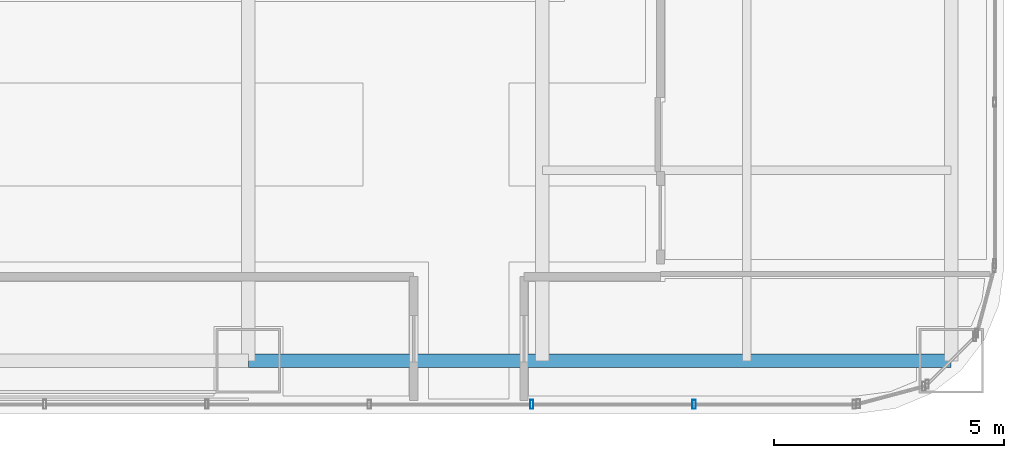
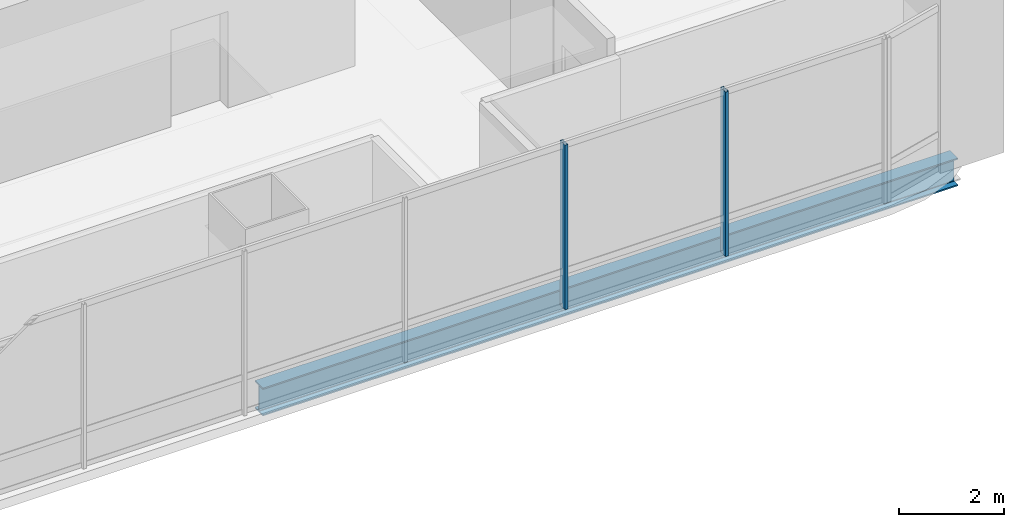
# One storey, part 14 of 38: 2 members, 1 beam, 1 element without a shape of its own.
"""IFC4 building model written with IfcOpenShell, lengths in metres."""

import ifcopenshell
import ifcopenshell.guid

model = None  # the IFC model being written
_history = None  # IfcOwnerHistory: only IFC2X3 demands one
_inside = {}  # id of a spatial element -> (the spatial element, [elements in it])
_under = {}  # id of a project, library or spatial element -> (it, [spatial elements below it])
_declared = {}  # id of a project -> (the project, [libraries it declares])
_typed = {}  # id of a type object -> (the type object, [elements of that type])
_made_of = {}  # id of a material, layer set ... -> (it, [elements and type objects made of it])


def new_model(schema):
    """Start an empty IFC model of exactly this schema.

    Asked for "IFC4X3", IfcOpenShell would pick the latest addendum, in which some entities
    have other attributes; the version numbers below select the first issue.
    IFC2X3 requires an IfcOwnerHistory on every rooted entity: one is made here for all.
    """
    global model, _history
    if schema == "IFC4X3":
        model = ifcopenshell.file(schema_version=(4, 3, 0, 0))
    else:
        model = ifcopenshell.file(schema=schema)
    _inside.clear()
    _under.clear()
    _declared.clear()
    _typed.clear()
    _made_of.clear()
    _history = None
    if model.schema == "IFC2X3":
        org = make("IfcOrganization", Name="unknown")
        user = make(
            "IfcPersonAndOrganization",
            ThePerson=make("IfcPerson", FamilyName="unknown"),
            TheOrganization=org,
        )
        app = make(
            "IfcApplication",
            ApplicationDeveloper=org,
            Version="unknown",
            ApplicationFullName="unknown",
            ApplicationIdentifier="unknown",
        )
        _history = make(
            "IfcOwnerHistory",
            OwningUser=user,
            OwningApplication=app,
            ChangeAction="ADDED",
            CreationDate=0,
        )
    return model


def make(cls, **values):
    """One entity of the class cls with the attributes given. An attribute that is None is left unset."""
    return model.create_entity(
        cls, **{name: value for name, value in values.items() if value is not None}
    )


def rooted(cls, **values):
    """An entity with a GlobalId (a new one), such as an element, a storey or a relation."""
    return make(cls, GlobalId=ifcopenshell.guid.new(), OwnerHistory=_history, **values)


def si_unit(unit_type, name, prefix=None):
    """IfcSIUnit, for example si_unit("LENGTHUNIT", "METRE", prefix="MILLI")."""
    return make("IfcSIUnit", UnitType=unit_type, Prefix=prefix, Name=name)


def assignment(units):
    """IfcUnitAssignment: the units of a project."""
    return None if units is None else make("IfcUnitAssignment", Units=units)


def point(xyz):
    """IfcCartesianPoint."""
    return None if xyz is None else make("IfcCartesianPoint", Coordinates=xyz)


def direction(xyz):
    """IfcDirection."""
    return None if xyz is None else make("IfcDirection", DirectionRatios=xyz)


def frame(location, z_axis=None, x_axis=None):
    """IfcAxis2Placement3D, a coordinate frame: its origin and axes. An axis left out is left unset."""
    return make(
        "IfcAxis2Placement3D",
        Location=point(location),
        Axis=direction(z_axis),
        RefDirection=direction(x_axis),
    )


def frame_2d(location, x_axis=None):
    """IfcAxis2Placement2D, a coordinate frame in the plane: its origin and x axis."""
    return make(
        "IfcAxis2Placement2D", Location=point(location), RefDirection=direction(x_axis)
    )


def origin():
    """The frame at (0, 0, 0) with its axes left unset."""
    return frame((0.0, 0.0, 0.0))


def origin_2d():
    """The frame at (0, 0) in the plane with its x axis left unset."""
    return frame_2d((0.0, 0.0))


def place(relative_to, where):
    """IfcLocalPlacement: puts the frame where relative to a parent placement (None: the world)."""
    return make(
        "IfcLocalPlacement", PlacementRelTo=relative_to, RelativePlacement=where
    )


def context(
    kind, dimensions, precision=None, world=None, true_north=None, identifier=None
):
    """IfcGeometricRepresentationContext, for example the 3D "Model" context."""
    return make(
        "IfcGeometricRepresentationContext",
        ContextIdentifier=identifier,
        ContextType=kind,
        CoordinateSpaceDimension=dimensions,
        Precision=precision,
        WorldCoordinateSystem=world,
        TrueNorth=true_north,
    )


def subcontext(parent, identifier, kind, view, scale=None):
    """IfcGeometricRepresentationSubContext, for example "Body" below "Model"."""
    return make(
        "IfcGeometricRepresentationSubContext",
        ContextIdentifier=identifier,
        ContextType=kind,
        ParentContext=parent,
        TargetScale=scale,
        TargetView=view,
    )


def project(units=None, contexts=None):
    """IfcProject with its units and contexts."""
    return rooted(
        "IfcProject",
        Name="project",
        RepresentationContexts=contexts,
        UnitsInContext=assignment(units),
    )


def spatial(cls, under=None, at=None, **own):
    """A site, building, storey or space (cls), placed at a placement, below another one or the project."""
    s = rooted(cls, ObjectPlacement=at, **own)
    if under is not None:
        _under.setdefault(under.id(), (under, []))[1].append(s)
    return s


def profile(cls, at=None, kind="AREA", **sizes):
    """A parametric profile (cls). Its sizes go by their IFC names, for example OverallWidth=200.0."""
    return make(cls, ProfileType=kind, Position=at, **sizes)


def hollow_rectangle(**sizes):
    """IfcRectangleHollowProfileDef."""
    return profile("IfcRectangleHollowProfileDef", **sizes)


def i_section(**sizes):
    """IfcIShapeProfileDef."""
    return profile("IfcIShapeProfileDef", **sizes)


def extrude(swept, where, along, depth):
    """IfcExtrudedAreaSolid: the profile swept, set in the frame where, extruded along a direction by depth."""
    return make(
        "IfcExtrudedAreaSolid",
        SweptArea=swept,
        Position=where,
        ExtrudedDirection=direction(along),
        Depth=depth,
    )


def shape(context_of_items, identifier, shape_type, items):
    """IfcShapeRepresentation: the items that make up one representation, for example the "Body"."""
    return make(
        "IfcShapeRepresentation",
        ContextOfItems=context_of_items,
        RepresentationIdentifier=identifier,
        RepresentationType=shape_type,
        Items=items,
    )


def material(Name=None, Category=None):
    """IfcMaterial."""
    return make("IfcMaterial", Name=Name, Category=Category)


def material_profile(
    of_material, cross_section, Name=None, Category=None, Priority=None
):
    """IfcMaterialProfile: a cross section and its material."""
    return make(
        "IfcMaterialProfile",
        Name=Name,
        Material=of_material,
        Profile=cross_section,
        Priority=Priority,
        Category=Category,
    )


def profile_set(profiles, Name=None, composite=None):
    """IfcMaterialProfileSet."""
    return make(
        "IfcMaterialProfileSet",
        Name=Name,
        MaterialProfiles=profiles,
        CompositeProfile=composite,
    )


def made_of(thing, what):
    """Note that an element or type object is made of a material, layer set ...; save() writes the relation."""
    if what is not None:
        _made_of.setdefault(what.id(), (what, []))[1].append(thing)
    return thing


def type_object(cls, material=None, **own):
    """A type object (cls), such as IfcWallType, which elements share."""
    return made_of(rooted(cls, **own), material)


def element(
    cls,
    number,
    at=None,
    inside=None,
    cuts=None,
    type_object=None,
    material=None,
    context=None,
    identifier="Body",
    shape_type=None,
    held_by="IfcProductDefinitionShape",
    body=None,
    shapes=None,
    **own,
):
    """One element of the class cls, such as IfcWall. Its Tag is "e" and its number.

    at: its placement. inside: the storey or other place that contains it. cuts: it is an
    opening in that element (IfcRelVoidsElement). A single representation is given by context,
    identifier, shape_type and body (its items); several are given by shapes. held_by: the class
    of the entity that holds the representations. save() writes the other relations.
    """
    e = rooted(cls, Tag="e%d" % number, ObjectPlacement=at, **own)
    if body is not None:
        shapes = [shape(context, identifier, shape_type, body)]
    if shapes is not None:
        e.Representation = make(held_by, Representations=shapes)
    if inside is not None:
        _inside.setdefault(inside.id(), (inside, []))[1].append(e)
    if cuts is not None:
        rooted(
            "IfcRelVoidsElement", RelatingBuildingElement=cuts, RelatedOpeningElement=e
        )
    if type_object is not None:
        _typed.setdefault(type_object.id(), (type_object, []))[1].append(e)
    return made_of(e, material)


def aggregate(whole, parts):
    """IfcRelAggregates: a whole, such as a stair, and the parts it consists of."""
    return rooted("IfcRelAggregates", RelatingObject=whole, RelatedObjects=parts)


def save(model, path):
    """Write the relations noted so far, then the file.

    IfcRelAggregates (storeys below a building ...), IfcRelContainedInSpatialStructure (elements
    in a storey), IfcRelDefinesByType, IfcRelAssociatesMaterial and IfcRelDeclares: one each for
    every whole, place, type object, material and project.
    """
    for whole, parts in _under.values():
        aggregate(whole, parts)
    for where, things in _inside.values():
        rooted(
            "IfcRelContainedInSpatialStructure",
            RelatedElements=things,
            RelatingStructure=where,
        )
    for kind, things in _typed.values():
        rooted("IfcRelDefinesByType", RelatedObjects=things, RelatingType=kind)
    for what, things in _made_of.values():
        rooted("IfcRelAssociatesMaterial", RelatedObjects=things, RelatingMaterial=what)
    for by, libraries in _declared.values():
        rooted("IfcRelDeclares", RelatingContext=by, RelatedDefinitions=libraries)
    model.write(path)


model = new_model("IFC4")

# Units and contexts
model_context = context("Model", 3, precision=1e-05, world=origin(), true_north=direction((0.0, 1.0)))
body_context = subcontext(model_context, "Body", "Model", "MODEL_VIEW")
ifc_project = project(units=[si_unit("LENGTHUNIT", "METRE"), si_unit("AREAUNIT", "SQUARE_METRE"), si_unit("VOLUMEUNIT", "CUBIC_METRE"), si_unit("PLANEANGLEUNIT", "RADIAN"), si_unit("MASSUNIT", "GRAM", prefix="KILO")], contexts=[model_context])

# Site, building, storey
site_placement = place(None, origin())
site = spatial("IfcSite", under=ifc_project, at=site_placement, CompositionType="ELEMENT")
building_placement = place(site_placement, origin())
building = spatial("IfcBuilding", under=site, at=building_placement, Name="Punatoya Terracotta Tower", CompositionType="ELEMENT")
storey_placement = place(building_placement, frame((0.0, 0.0, 160.050048828125)))
storey = spatial("IfcBuildingStorey", under=building, at=storey_placement, Name="L37", CompositionType="ELEMENT", Elevation=160.050048828125)

# Beam
ifc_material_1 = material(Name="Steel S355", Category="steel")
ifc_material_profile_1 = material_profile(ifc_material_1, i_section(OverallWidth=0.300048828125, OverallDepth=0.64990234375, WebThickness=0.01611328125, FlangeThickness=0.031005859375, FilletRadius=0.01806640625, at=origin_2d()))
ifc_profile_set_1 = profile_set([ifc_material_profile_1], Name="Steel S355")
beam_type = type_object("IfcBeamType", Name="BM-PRI-650", PredefinedType="BEAM", material=ifc_profile_set_1)
beam_placement = place(storey_placement, frame((3.800048828125, -17.5, -0.545166015625), z_axis=(1.0, 0.0, 0.0), x_axis=(0.0, 1.0, 0.0)))
element("IfcBeam", 1, at=beam_placement, inside=storey, type_object=beam_type, Name="BM-L37-RG-S3", PredefinedType="BEAM", context=body_context, shape_type="SweptSolid", body=[
    extrude(i_section(OverallWidth=0.300048828125, OverallDepth=0.64990234375, WebThickness=0.01611328125, FlangeThickness=0.031005859375, FilletRadius=0.01806640625, at=origin_2d()), origin(), (0.0, 0.0, 1.0), 15.300048828125),
])

# Curtain wall, members
ifc_material_2 = material(Name="Aluminium 6063-T6 + Double Low-E Glass", Category="aluminium")
curtain_wall_type = type_object("IfcCurtainWallType", Name="CW-M2", PredefinedType="NOTDEFINED", material=ifc_material_2)
curtain_wall_placement = place(storey_placement, origin())
curtain_wall = element("IfcCurtainWall", 2, at=curtain_wall_placement, inside=storey, type_object=curtain_wall_type, Name="L37 Curtain Wall CW-L37-S01-1", PredefinedType="NOTDEFINED")
ifc_material_3 = material(Name="Aluminium 6063-T6", Category="aluminium")
ifc_material_profile_2 = material_profile(ifc_material_3, hollow_rectangle(XDim=0.072021484375, YDim=0.195068359375, WallThickness=0.00439453125, at=origin_2d()))
ifc_profile_set_2 = profile_set([ifc_material_profile_2], Name="Aluminium 6063-T6")
member_type = type_object("IfcMemberType", Name="CW-MUL-M2", PredefinedType="MULLION", material=ifc_profile_set_2)
member_1_placement = place(storey_placement, frame((9.968994140625, -18.449951171875, 0.0), z_axis=(0.0, 0.0, 1.0), x_axis=(1.0, 0.0, 0.0)))
member_1 = element("IfcMember", 3, at=member_1_placement, type_object=member_type, Name="CW-L37-S01-1 Mullion 09", PredefinedType="MULLION", context=body_context, shape_type="SweptSolid", body=[
    extrude(hollow_rectangle(XDim=0.072021484375, YDim=0.195068359375, WallThickness=0.00439453125, at=origin_2d()), origin(), (0.0, 0.0, 1.0), 3.829833984375),
])
member_2_placement = place(storey_placement, frame((13.5029296875, -18.449951171875, 0.0), z_axis=(0.0, 0.0, 1.0), x_axis=(1.0, 0.0, 0.0)))
member_2 = element("IfcMember", 4, at=member_2_placement, type_object=member_type, Name="CW-L37-S01-1 Mullion 10", PredefinedType="MULLION", context=body_context, shape_type="SweptSolid", body=[
    extrude(hollow_rectangle(XDim=0.072021484375, YDim=0.195068359375, WallThickness=0.00439453125, at=origin_2d()), origin(), (0.0, 0.0, 1.0), 3.829833984375),
])
aggregate(curtain_wall, [member_1, member_2])

save(model, "model.ifc")
